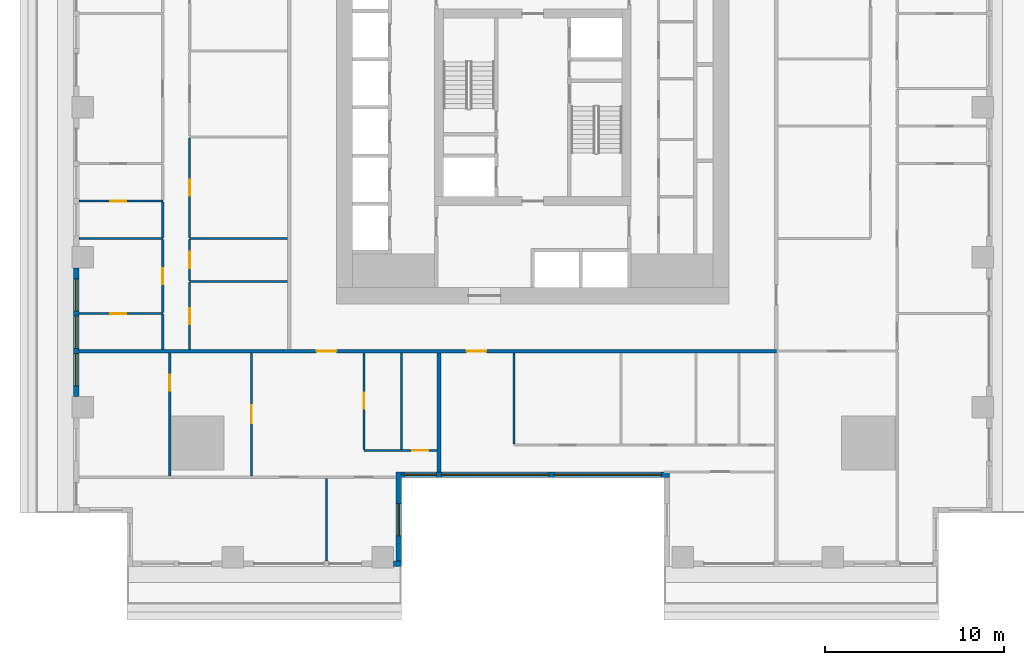
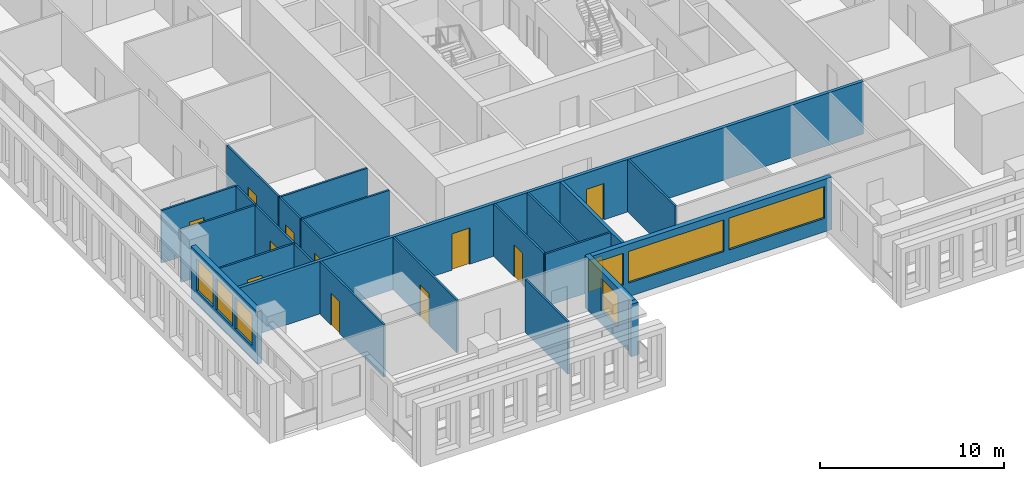
# One storey, part 2 of 15: 24 walls, 12 doors, 7 windows, 19 openings.
"""IFC4 building model written with IfcOpenShell, lengths in metres."""

import ifcopenshell
import ifcopenshell.guid

model = None  # the IFC model being written
_history = None  # IfcOwnerHistory: only IFC2X3 demands one
_inside = {}  # id of a spatial element -> (the spatial element, [elements in it])
_under = {}  # id of a project, library or spatial element -> (it, [spatial elements below it])
_declared = {}  # id of a project -> (the project, [libraries it declares])
_typed = {}  # id of a type object -> (the type object, [elements of that type])
_made_of = {}  # id of a material, layer set ... -> (it, [elements and type objects made of it])


def new_model(schema):
    """Start an empty IFC model of exactly this schema.

    Asked for "IFC4X3", IfcOpenShell would pick the latest addendum, in which some entities
    have other attributes; the version numbers below select the first issue.
    IFC2X3 requires an IfcOwnerHistory on every rooted entity: one is made here for all.
    """
    global model, _history
    if schema == "IFC4X3":
        model = ifcopenshell.file(schema_version=(4, 3, 0, 0))
    else:
        model = ifcopenshell.file(schema=schema)
    _inside.clear()
    _under.clear()
    _declared.clear()
    _typed.clear()
    _made_of.clear()
    _history = None
    if model.schema == "IFC2X3":
        org = make("IfcOrganization", Name="unknown")
        user = make(
            "IfcPersonAndOrganization",
            ThePerson=make("IfcPerson", FamilyName="unknown"),
            TheOrganization=org,
        )
        app = make(
            "IfcApplication",
            ApplicationDeveloper=org,
            Version="unknown",
            ApplicationFullName="unknown",
            ApplicationIdentifier="unknown",
        )
        _history = make(
            "IfcOwnerHistory",
            OwningUser=user,
            OwningApplication=app,
            ChangeAction="ADDED",
            CreationDate=0,
        )
    return model


def make(cls, **values):
    """One entity of the class cls with the attributes given. An attribute that is None is left unset."""
    return model.create_entity(
        cls, **{name: value for name, value in values.items() if value is not None}
    )


def rooted(cls, **values):
    """An entity with a GlobalId (a new one), such as an element, a storey or a relation."""
    return make(cls, GlobalId=ifcopenshell.guid.new(), OwnerHistory=_history, **values)


def si_unit(unit_type, name, prefix=None):
    """IfcSIUnit, for example si_unit("LENGTHUNIT", "METRE", prefix="MILLI")."""
    return make("IfcSIUnit", UnitType=unit_type, Prefix=prefix, Name=name)


def assignment(units):
    """IfcUnitAssignment: the units of a project."""
    return None if units is None else make("IfcUnitAssignment", Units=units)


def point(xyz):
    """IfcCartesianPoint."""
    return None if xyz is None else make("IfcCartesianPoint", Coordinates=xyz)


def direction(xyz):
    """IfcDirection."""
    return None if xyz is None else make("IfcDirection", DirectionRatios=xyz)


def frame(location, z_axis=None, x_axis=None):
    """IfcAxis2Placement3D, a coordinate frame: its origin and axes. An axis left out is left unset."""
    return make(
        "IfcAxis2Placement3D",
        Location=point(location),
        Axis=direction(z_axis),
        RefDirection=direction(x_axis),
    )


def frame_2d(location, x_axis=None):
    """IfcAxis2Placement2D, a coordinate frame in the plane: its origin and x axis."""
    return make(
        "IfcAxis2Placement2D", Location=point(location), RefDirection=direction(x_axis)
    )


def origin():
    """The frame at (0, 0, 0) with its axes left unset."""
    return frame((0.0, 0.0, 0.0))


def place(relative_to, where):
    """IfcLocalPlacement: puts the frame where relative to a parent placement (None: the world)."""
    return make(
        "IfcLocalPlacement", PlacementRelTo=relative_to, RelativePlacement=where
    )


def context(
    kind, dimensions, precision=None, world=None, true_north=None, identifier=None
):
    """IfcGeometricRepresentationContext, for example the 3D "Model" context."""
    return make(
        "IfcGeometricRepresentationContext",
        ContextIdentifier=identifier,
        ContextType=kind,
        CoordinateSpaceDimension=dimensions,
        Precision=precision,
        WorldCoordinateSystem=world,
        TrueNorth=true_north,
    )


def subcontext(parent, identifier, kind, view, scale=None):
    """IfcGeometricRepresentationSubContext, for example "Body" below "Model"."""
    return make(
        "IfcGeometricRepresentationSubContext",
        ContextIdentifier=identifier,
        ContextType=kind,
        ParentContext=parent,
        TargetScale=scale,
        TargetView=view,
    )


def project(units=None, contexts=None):
    """IfcProject with its units and contexts."""
    return rooted(
        "IfcProject",
        Name="project",
        RepresentationContexts=contexts,
        UnitsInContext=assignment(units),
    )


def spatial(cls, under=None, at=None, **own):
    """A site, building, storey or space (cls), placed at a placement, below another one or the project."""
    s = rooted(cls, ObjectPlacement=at, **own)
    if under is not None:
        _under.setdefault(under.id(), (under, []))[1].append(s)
    return s


def profile(cls, at=None, kind="AREA", **sizes):
    """A parametric profile (cls). Its sizes go by their IFC names, for example OverallWidth=200.0."""
    return make(cls, ProfileType=kind, Position=at, **sizes)


def rectangle(**sizes):
    """IfcRectangleProfileDef."""
    return profile("IfcRectangleProfileDef", **sizes)


def extrude(swept, where, along, depth):
    """IfcExtrudedAreaSolid: the profile swept, set in the frame where, extruded along a direction by depth."""
    return make(
        "IfcExtrudedAreaSolid",
        SweptArea=swept,
        Position=where,
        ExtrudedDirection=direction(along),
        Depth=depth,
    )


def shape(context_of_items, identifier, shape_type, items):
    """IfcShapeRepresentation: the items that make up one representation, for example the "Body"."""
    return make(
        "IfcShapeRepresentation",
        ContextOfItems=context_of_items,
        RepresentationIdentifier=identifier,
        RepresentationType=shape_type,
        Items=items,
    )


def material(Name=None, Category=None):
    """IfcMaterial."""
    return make("IfcMaterial", Name=Name, Category=Category)


def layer(
    of_material, thickness, ventilated=None, Name=None, Category=None, Priority=None
):
    """IfcMaterialLayer: one layer of a wall or slab, of a material (None: an air gap)."""
    return make(
        "IfcMaterialLayer",
        Material=of_material,
        LayerThickness=thickness,
        IsVentilated=ventilated,
        Name=Name,
        Category=Category,
        Priority=Priority,
    )


def layer_set(layers, Name=None):
    """IfcMaterialLayerSet."""
    return make("IfcMaterialLayerSet", MaterialLayers=layers, LayerSetName=Name)


def made_of(thing, what):
    """Note that an element or type object is made of a material, layer set ...; save() writes the relation."""
    if what is not None:
        _made_of.setdefault(what.id(), (what, []))[1].append(thing)
    return thing


def type_object(cls, material=None, **own):
    """A type object (cls), such as IfcWallType, which elements share."""
    return made_of(rooted(cls, **own), material)


def element(
    cls,
    number,
    at=None,
    inside=None,
    cuts=None,
    type_object=None,
    material=None,
    context=None,
    identifier="Body",
    shape_type=None,
    held_by="IfcProductDefinitionShape",
    body=None,
    shapes=None,
    **own,
):
    """One element of the class cls, such as IfcWall. Its Tag is "e" and its number.

    at: its placement. inside: the storey or other place that contains it. cuts: it is an
    opening in that element (IfcRelVoidsElement). A single representation is given by context,
    identifier, shape_type and body (its items); several are given by shapes. held_by: the class
    of the entity that holds the representations. save() writes the other relations.
    """
    e = rooted(cls, Tag="e%d" % number, ObjectPlacement=at, **own)
    if body is not None:
        shapes = [shape(context, identifier, shape_type, body)]
    if shapes is not None:
        e.Representation = make(held_by, Representations=shapes)
    if inside is not None:
        _inside.setdefault(inside.id(), (inside, []))[1].append(e)
    if cuts is not None:
        rooted(
            "IfcRelVoidsElement", RelatingBuildingElement=cuts, RelatedOpeningElement=e
        )
    if type_object is not None:
        _typed.setdefault(type_object.id(), (type_object, []))[1].append(e)
    return made_of(e, material)


def fill(opening, filler):
    """IfcRelFillsElement: the door or window that sits in an opening."""
    return rooted(
        "IfcRelFillsElement",
        RelatingOpeningElement=opening,
        RelatedBuildingElement=filler,
    )


def aggregate(whole, parts):
    """IfcRelAggregates: a whole, such as a stair, and the parts it consists of."""
    return rooted("IfcRelAggregates", RelatingObject=whole, RelatedObjects=parts)


def save(model, path):
    """Write the relations noted so far, then the file.

    IfcRelAggregates (storeys below a building ...), IfcRelContainedInSpatialStructure (elements
    in a storey), IfcRelDefinesByType, IfcRelAssociatesMaterial and IfcRelDeclares: one each for
    every whole, place, type object, material and project.
    """
    for whole, parts in _under.values():
        aggregate(whole, parts)
    for where, things in _inside.values():
        rooted(
            "IfcRelContainedInSpatialStructure",
            RelatedElements=things,
            RelatingStructure=where,
        )
    for kind, things in _typed.values():
        rooted("IfcRelDefinesByType", RelatedObjects=things, RelatingType=kind)
    for what, things in _made_of.values():
        rooted("IfcRelAssociatesMaterial", RelatedObjects=things, RelatingMaterial=what)
    for by, libraries in _declared.values():
        rooted("IfcRelDeclares", RelatingContext=by, RelatedDefinitions=libraries)
    model.write(path)


model = new_model("IFC4")

# Units and contexts
model_context = context("Model", 3, precision=1e-05, world=origin(), true_north=direction((0.0, 1.0)))
body_context = subcontext(model_context, "Body", "Model", "MODEL_VIEW")
ifc_project = project(units=[si_unit("LENGTHUNIT", "METRE"), si_unit("AREAUNIT", "SQUARE_METRE"), si_unit("VOLUMEUNIT", "CUBIC_METRE"), si_unit("PLANEANGLEUNIT", "RADIAN"), si_unit("MASSUNIT", "GRAM", prefix="KILO")], contexts=[model_context])

# Site, building, storey
site_placement = place(None, origin())
site = spatial("IfcSite", under=ifc_project, at=site_placement, CompositionType="ELEMENT")
building_placement = place(site_placement, origin())
building = spatial("IfcBuilding", under=site, at=building_placement, Name="Khepri Terraces", CompositionType="ELEMENT")
storey_placement = place(building_placement, frame((0.0, 0.0, 46.5)))
storey = spatial("IfcBuildingStorey", under=building, at=storey_placement, Name="L10", CompositionType="ELEMENT", Elevation=46.5)

# Wall
ifc_material_1 = material(Name="Fire-rated gypsum plasterboard partition, mineral wool")
ifc_layer_1 = layer(ifc_material_1, 0.199951171875, Name="Fire-rated gypsum plasterboard partition, mineral wool")
ifc_layer_set_1 = layer_set([ifc_layer_1], Name="Fire-rated gypsum plasterboard partition, mineral wool")
wall_type_1 = type_object("IfcWallType", Name="WL-CORR-200", PredefinedType="PARTITIONING", material=ifc_layer_set_1)
wall_1_placement = place(storey_placement, frame((-5.25, -20.419921875, 0.0), z_axis=(0.0, 0.0, 1.0), x_axis=(0.0, 1.0, 0.0)))
element("IfcWall", 1, at=wall_1_placement, inside=storey, type_object=wall_type_1, Name="Partition P-005 L10", PredefinedType="PARTITIONING", context=body_context, shape_type="SweptSolid", body=[
    extrude(rectangle(XDim=6.669921875, YDim=0.199951171875, at=frame_2d((3.3349609375, 0.0))), origin(), (0.0, 0.0, 1.0), 3.47998046875),
])

# Wall, openings, doors
wall_2_placement = place(storey_placement, frame((-25.419921875, -13.64990234375, 0.0), z_axis=(0.0, 0.0, 1.0), x_axis=(1.0, 0.0, 0.0)))
wall_2 = element("IfcWall", 2, at=wall_2_placement, inside=storey, type_object=wall_type_1, Name="Partition P-018 L10", PredefinedType="PARTITIONING", context=body_context, shape_type="SweptSolid", body=[
    extrude(rectangle(XDim=39.06982421875, YDim=0.199951171875, at=frame_2d((19.534912109375, 0.0))), origin(), (0.0, 0.0, 1.0), 3.47998046875),
])
opening_1_placement = place(wall_2_placement, frame((13.320068359375, 0.0, 0.0)))
opening_1 = element("IfcOpeningElement", 3, at=opening_1_placement, cuts=wall_2, Name="Opening D1", PredefinedType="OPENING", context=body_context, shape_type="SweptSolid", body=[
    extrude(rectangle(XDim=1.10009765625, YDim=2.39990234375, at=frame_2d((0.550048828125, 1.199951171875))), frame((0.0, 0.10986328125, 0.0), z_axis=(0.0, -1.0, 0.0), x_axis=(1.0, 0.0, 0.0)), (0.0, 0.0, 1.0), 0.219970703125),
])
opening_2_placement = place(wall_2_placement, frame((21.719970703125, 0.0, 0.0)))
opening_2 = element("IfcOpeningElement", 4, at=opening_2_placement, cuts=wall_2, Name="Opening D1", PredefinedType="OPENING", context=body_context, shape_type="SweptSolid", body=[
    extrude(rectangle(XDim=1.10009765625, YDim=2.39990234375, at=frame_2d((0.550048828125, 1.199951171875))), frame((0.0, 0.10986328125, 0.0), z_axis=(0.0, -1.0, 0.0), x_axis=(1.0, 0.0, 0.0)), (0.0, 0.0, 1.0), 0.219970703125),
])
ifc_material_2 = material(Name="Solid-core timber door leaf, flat entrance door", Category="wood")
door_type_1 = type_object("IfcDoorType", Name="DR-ENT-1100", OperationType="NOTDEFINED", PredefinedType="DOOR", material=ifc_material_2)
door_1_placement = place(opening_1_placement, frame((1.10009765625, 0.0, 0.0), z_axis=(0.0, 0.0, 1.0), x_axis=(-1.0, 0.0, 0.0)))
door_1 = element("IfcDoor", 5, at=door_1_placement, inside=storey, type_object=door_type_1, Name="Flat A1 entrance door", OperationType="SINGLE_SWING_RIGHT", OverallHeight=2.39990234375, OverallWidth=1.10009765625, PredefinedType="DOOR", context=body_context, shape_type="SweptSolid", body=[
    extrude(rectangle(XDim=1.10009765625, YDim=2.39990234375, at=frame_2d((0.550048828125, 1.199951171875))), frame((0.0, 0.02490234375, 0.0), z_axis=(0.0, -1.0, 0.0), x_axis=(1.0, 0.0, 0.0)), (0.0, 0.0, 1.0), 0.050048828125),
])
fill(opening_1, door_1)
door_2_placement = place(opening_2_placement, frame((1.10009765625, 0.0, 0.0), z_axis=(0.0, 0.0, 1.0), x_axis=(-1.0, 0.0, 0.0)))
door_2 = element("IfcDoor", 6, at=door_2_placement, inside=storey, type_object=door_type_1, Name="Flat A2 entrance door", OperationType="SINGLE_SWING_LEFT", OverallHeight=2.39990234375, OverallWidth=1.10009765625, PredefinedType="DOOR", context=body_context, shape_type="SweptSolid", body=[
    extrude(rectangle(XDim=1.10009765625, YDim=2.39990234375, at=frame_2d((0.550048828125, 1.199951171875))), frame((0.0, 0.02490234375, 0.0), z_axis=(0.0, -1.0, 0.0), x_axis=(1.0, 0.0, 0.0)), (0.0, 0.0, 1.0), 0.050048828125),
])
fill(opening_2, door_2)

# Wall, openings, windows
ifc_material_3 = material(Name="Precast concrete C50/60 warm stone", Category="masonry")
ifc_layer_2 = layer(ifc_material_3, 0.300048828125, Name="Precast concrete C50/60 warm stone", Category="masonry")
ifc_layer_set_2 = layer_set([ifc_layer_2], Name="Precast concrete C50/60 warm stone")
wall_type_2 = type_object("IfcWallType", Name="WL-EXT-PRECAST-300", PredefinedType="STANDARD", material=ifc_layer_set_2)
wall_3_placement = place(storey_placement, frame((-25.570068359375, -9.0, 0.0), z_axis=(0.0, 0.0, 1.0), x_axis=(0.0, -1.0, 0.0)))
wall_3 = element("IfcWall", 7, at=wall_3_placement, inside=storey, type_object=wall_type_2, Name="External wall L10 W", PredefinedType="STANDARD", context=body_context, shape_type="SweptSolid", body=[
    extrude(rectangle(XDim=7.199951171875, YDim=0.300048828125, at=frame_2d((3.60009765625, 0.0))), origin(), (0.0, 0.0, 1.0), 3.47998046875),
])
opening_3_placement = place(wall_3_placement, frame((0.60009765625, 0.0, 0.89990234375)))
opening_3 = element("IfcOpeningElement", 8, at=opening_3_placement, cuts=wall_3, Name="Opening W1", PredefinedType="OPENING", context=body_context, shape_type="SweptSolid", body=[
    extrude(rectangle(XDim=1.800048828125, YDim=2.10009765625, at=frame_2d((0.89990234375, 1.050048828125))), frame((0.0, 0.16015625, 0.0), z_axis=(0.0, -1.0, 0.0), x_axis=(1.0, 0.0, 0.0)), (0.0, 0.0, 1.0), 0.320068359375),
])
opening_4_placement = place(wall_3_placement, frame((2.699951171875, 0.0, 0.89990234375)))
opening_4 = element("IfcOpeningElement", 9, at=opening_4_placement, cuts=wall_3, Name="Opening W1", PredefinedType="OPENING", context=body_context, shape_type="SweptSolid", body=[
    extrude(rectangle(XDim=1.800048828125, YDim=2.10009765625, at=frame_2d((0.89990234375, 1.050048828125))), frame((0.0, 0.16015625, 0.0), z_axis=(0.0, -1.0, 0.0), x_axis=(1.0, 0.0, 0.0)), (0.0, 0.0, 1.0), 0.320068359375),
])
opening_5_placement = place(wall_3_placement, frame((4.800048828125, 0.0, 0.89990234375)))
opening_5 = element("IfcOpeningElement", 10, at=opening_5_placement, cuts=wall_3, Name="Opening W1", PredefinedType="OPENING", context=body_context, shape_type="SweptSolid", body=[
    extrude(rectangle(XDim=1.800048828125, YDim=2.10009765625, at=frame_2d((0.89990234375, 1.050048828125))), frame((0.0, 0.16015625, 0.0), z_axis=(0.0, -1.0, 0.0), x_axis=(1.0, 0.0, 0.0)), (0.0, 0.0, 1.0), 0.320068359375),
])
ifc_material_4 = material(Name="Clear glass", Category="glass")
window_type_1 = type_object("IfcWindowType", Name="WIN-RES-1800x2100", PartitioningType="SINGLE_PANEL", PredefinedType="WINDOW", material=ifc_material_4)
window_1_placement = place(opening_3_placement, origin())
window_1 = element("IfcWindow", 11, at=window_1_placement, inside=storey, type_object=window_type_1, Name="Window L10 W", OverallHeight=2.10009765625, OverallWidth=1.800048828125, PartitioningType="SINGLE_PANEL", PredefinedType="WINDOW", context=body_context, shape_type="SweptSolid", body=[
    extrude(rectangle(XDim=1.800048828125, YDim=2.10009765625, at=frame_2d((0.89990234375, 1.050048828125))), frame((0.0, 0.030029296875, 0.0), z_axis=(0.0, -1.0, 0.0), x_axis=(1.0, 0.0, 0.0)), (0.0, 0.0, 1.0), 0.06005859375),
])
fill(opening_3, window_1)
window_2_placement = place(opening_4_placement, origin())
window_2 = element("IfcWindow", 12, at=window_2_placement, inside=storey, type_object=window_type_1, Name="Window L10 W", OverallHeight=2.10009765625, OverallWidth=1.800048828125, PartitioningType="SINGLE_PANEL", PredefinedType="WINDOW", context=body_context, shape_type="SweptSolid", body=[
    extrude(rectangle(XDim=1.800048828125, YDim=2.10009765625, at=frame_2d((0.89990234375, 1.050048828125))), frame((0.0, 0.030029296875, 0.0), z_axis=(0.0, -1.0, 0.0), x_axis=(1.0, 0.0, 0.0)), (0.0, 0.0, 1.0), 0.06005859375),
])
fill(opening_4, window_2)
window_3_placement = place(opening_5_placement, origin())
window_3 = element("IfcWindow", 13, at=window_3_placement, inside=storey, type_object=window_type_1, Name="Window L10 W", OverallHeight=2.10009765625, OverallWidth=1.800048828125, PartitioningType="SINGLE_PANEL", PredefinedType="WINDOW", context=body_context, shape_type="SweptSolid", body=[
    extrude(rectangle(XDim=1.800048828125, YDim=2.10009765625, at=frame_2d((0.89990234375, 1.050048828125))), frame((0.0, 0.030029296875, 0.0), z_axis=(0.0, -1.0, 0.0), x_axis=(1.0, 0.0, 0.0)), (0.0, 0.0, 1.0), 0.06005859375),
])
fill(opening_5, window_3)

# Wall
wall_4_placement = place(storey_placement, frame((-7.800048828125, -25.570068359375, 0.0), z_axis=(0.0, 0.0, 1.0), x_axis=(1.0, 0.0, 0.0)))
element("IfcWall", 14, at=wall_4_placement, inside=storey, type_object=wall_type_2, Name="External wall L10 S", PredefinedType="STANDARD", context=body_context, shape_type="SweptSolid", body=[
    extrude(rectangle(XDim=0.449951171875, YDim=0.300048828125, at=frame_2d((0.22509765625, 0.0))), origin(), (0.0, 0.0, 1.0), 3.47998046875),
])

# Wall, opening, window
wall_5_placement = place(storey_placement, frame((-7.5, -25.419921875, 0.0), z_axis=(0.0, 0.0, 1.0), x_axis=(0.0, 1.0, 0.0)))
wall_5 = element("IfcWall", 15, at=wall_5_placement, inside=storey, type_object=wall_type_2, Name="External wall L10 E", PredefinedType="STANDARD", context=body_context, shape_type="SweptSolid", body=[
    extrude(rectangle(XDim=5.0, YDim=0.300048828125, at=frame_2d((2.5, 0.0))), origin(), (0.0, 0.0, 1.0), 3.47998046875),
])
opening_6_placement = place(wall_5_placement, frame((1.419921875, 0.0, 0.89990234375)))
opening_6 = element("IfcOpeningElement", 16, at=opening_6_placement, cuts=wall_5, Name="Opening W1", PredefinedType="OPENING", context=body_context, shape_type="SweptSolid", body=[
    extrude(rectangle(XDim=1.800048828125, YDim=2.10009765625, at=frame_2d((0.89990234375, 1.050048828125))), frame((0.0, 0.16015625, 0.0), z_axis=(0.0, -1.0, 0.0), x_axis=(1.0, 0.0, 0.0)), (0.0, 0.0, 1.0), 0.320068359375),
])
window_4_placement = place(opening_6_placement, origin())
window_4 = element("IfcWindow", 17, at=window_4_placement, inside=storey, type_object=window_type_1, Name="Window L10 E", OverallHeight=2.10009765625, OverallWidth=1.800048828125, PartitioningType="SINGLE_PANEL", PredefinedType="WINDOW", context=body_context, shape_type="SweptSolid", body=[
    extrude(rectangle(XDim=1.800048828125, YDim=2.10009765625, at=frame_2d((0.89990234375, 1.050048828125))), frame((0.0, 0.030029296875, 0.0), z_axis=(0.0, -1.0, 0.0), x_axis=(1.0, 0.0, 0.0)), (0.0, 0.0, 1.0), 0.06005859375),
])
fill(opening_6, window_4)

# Wall, openings, windows
wall_6_placement = place(storey_placement, frame((-7.35009765625, -20.570068359375, 0.0), z_axis=(0.0, 0.0, 1.0), x_axis=(1.0, 0.0, 0.0)))
wall_6 = element("IfcWall", 18, at=wall_6_placement, inside=storey, type_object=wall_type_2, Name="External wall L10 S", PredefinedType="STANDARD", context=body_context, shape_type="SweptSolid", body=[
    extrude(rectangle(XDim=15.0, YDim=0.300048828125, at=frame_2d((7.5, 0.0))), origin(), (0.0, 0.0, 1.0), 3.47998046875),
])
opening_7_placement = place(wall_6_placement, frame((0.14990234375, 0.0, 0.89990234375)))
opening_7 = element("IfcOpeningElement", 19, at=opening_7_placement, cuts=wall_6, Name="Opening W1", PredefinedType="OPENING", context=body_context, shape_type="SweptSolid", body=[
    extrude(rectangle(XDim=1.800048828125, YDim=2.10009765625, at=frame_2d((0.89990234375, 1.050048828125))), frame((0.0, 0.16015625, 0.0), z_axis=(0.0, -1.0, 0.0), x_axis=(1.0, 0.0, 0.0)), (0.0, 0.0, 1.0), 0.320068359375),
])
opening_8_placement = place(wall_6_placement, frame((2.25, 0.0, 0.89990234375)))
opening_8 = element("IfcOpeningElement", 20, at=opening_8_placement, cuts=wall_6, Name="Opening W3", PredefinedType="OPENING", context=body_context, shape_type="SweptSolid", body=[
    extrude(rectangle(XDim=6.0, YDim=2.10009765625, at=frame_2d((3.0, 1.050048828125))), frame((0.0, 0.16015625, 0.0), z_axis=(0.0, -1.0, 0.0), x_axis=(1.0, 0.0, 0.0)), (0.0, 0.0, 1.0), 0.320068359375),
])
opening_9_placement = place(wall_6_placement, frame((8.550048828125, 0.0, 0.89990234375)))
opening_9 = element("IfcOpeningElement", 21, at=opening_9_placement, cuts=wall_6, Name="Opening W3", PredefinedType="OPENING", context=body_context, shape_type="SweptSolid", body=[
    extrude(rectangle(XDim=6.0, YDim=2.10009765625, at=frame_2d((3.0, 1.050048828125))), frame((0.0, 0.16015625, 0.0), z_axis=(0.0, -1.0, 0.0), x_axis=(1.0, 0.0, 0.0)), (0.0, 0.0, 1.0), 0.320068359375),
])
window_5_placement = place(opening_7_placement, origin())
window_5 = element("IfcWindow", 22, at=window_5_placement, inside=storey, type_object=window_type_1, Name="Window L10 S", OverallHeight=2.10009765625, OverallWidth=1.800048828125, PartitioningType="SINGLE_PANEL", PredefinedType="WINDOW", context=body_context, shape_type="SweptSolid", body=[
    extrude(rectangle(XDim=1.800048828125, YDim=2.10009765625, at=frame_2d((0.89990234375, 1.050048828125))), frame((0.0, 0.030029296875, 0.0), z_axis=(0.0, -1.0, 0.0), x_axis=(1.0, 0.0, 0.0)), (0.0, 0.0, 1.0), 0.06005859375),
])
fill(opening_7, window_5)
window_type_2 = type_object("IfcWindowType", Name="WIN-RES-6000x2100", PartitioningType="SINGLE_PANEL", PredefinedType="WINDOW", material=ifc_material_4)
window_6_placement = place(opening_8_placement, origin())
window_6 = element("IfcWindow", 23, at=window_6_placement, inside=storey, type_object=window_type_2, Name="Window L10 S", OverallHeight=2.10009765625, OverallWidth=6.0, PartitioningType="SINGLE_PANEL", PredefinedType="WINDOW", context=body_context, shape_type="SweptSolid", body=[
    extrude(rectangle(XDim=6.0, YDim=2.10009765625, at=frame_2d((3.0, 1.050048828125))), frame((0.0, 0.030029296875, 0.0), z_axis=(0.0, -1.0, 0.0), x_axis=(1.0, 0.0, 0.0)), (0.0, 0.0, 1.0), 0.06005859375),
])
fill(opening_8, window_6)
window_7_placement = place(opening_9_placement, origin())
window_7 = element("IfcWindow", 24, at=window_7_placement, inside=storey, type_object=window_type_2, Name="Window L10 S", OverallHeight=2.10009765625, OverallWidth=6.0, PartitioningType="SINGLE_PANEL", PredefinedType="WINDOW", context=body_context, shape_type="SweptSolid", body=[
    extrude(rectangle(XDim=6.0, YDim=2.10009765625, at=frame_2d((3.0, 1.050048828125))), frame((0.0, 0.030029296875, 0.0), z_axis=(0.0, -1.0, 0.0), x_axis=(1.0, 0.0, 0.0)), (0.0, 0.0, 1.0), 0.06005859375),
])
fill(opening_9, window_7)

# Wall
ifc_material_5 = material(Name="Gypsum plasterboard partition")
ifc_layer_3 = layer(ifc_material_5, 0.1201171875, Name="Gypsum plasterboard partition")
ifc_layer_set_3 = layer_set([ifc_layer_3], Name="Gypsum plasterboard partition")
wall_type_3 = type_object("IfcWallType", Name="WL-PART-120", PredefinedType="PARTITIONING", material=ifc_layer_set_3)
wall_7_placement = place(storey_placement, frame((-11.550048828125, -25.419921875, 0.0), z_axis=(0.0, 0.0, 1.0), x_axis=(0.0, 1.0, 0.0)))
element("IfcWall", 25, at=wall_7_placement, inside=storey, type_object=wall_type_3, Name="Partition P-001 L10", PredefinedType="PARTITIONING", context=body_context, shape_type="SweptSolid", body=[
    extrude(rectangle(XDim=4.639892578125, YDim=0.1201171875, at=frame_2d((2.31982421875, 0.0))), origin(), (0.0, 0.0, 1.0), 3.47998046875),
])

# Wall, opening, door
wall_8_placement = place(storey_placement, frame((-20.333984375, -20.659912109375, 0.0), z_axis=(0.0, 0.0, 1.0), x_axis=(0.0, 1.0, 0.0)))
wall_8 = element("IfcWall", 26, at=wall_8_placement, inside=storey, type_object=wall_type_3, Name="Partition P-007 L10", PredefinedType="PARTITIONING", context=body_context, shape_type="SweptSolid", body=[
    extrude(rectangle(XDim=6.909912109375, YDim=0.1201171875, at=frame_2d((3.455078125, 0.0))), origin(), (0.0, 0.0, 1.0), 3.47998046875),
])
opening_10_placement = place(wall_8_placement, frame((4.79248046875, 0.0, 0.0)))
opening_10 = element("IfcOpeningElement", 27, at=opening_10_placement, cuts=wall_8, Name="Opening D3", PredefinedType="OPENING", context=body_context, shape_type="SweptSolid", body=[
    extrude(rectangle(XDim=0.89990234375, YDim=2.10009765625, at=frame_2d((0.449951171875, 1.050048828125))), frame((0.0, 0.070068359375, 0.0), z_axis=(0.0, -1.0, 0.0), x_axis=(1.0, 0.0, 0.0)), (0.0, 0.0, 1.0), 0.14013671875),
])
ifc_material_6 = material(Name="Timber door leaf", Category="wood")
door_type_2 = type_object("IfcDoorType", Name="DR-INT-900", OperationType="NOTDEFINED", PredefinedType="DOOR", material=ifc_material_6)
door_3_placement = place(opening_10_placement, origin())
door_3 = element("IfcDoor", 28, at=door_3_placement, inside=storey, type_object=door_type_2, Name="Door Staff Bedroom", OperationType="SINGLE_SWING_RIGHT", OverallHeight=2.10009765625, OverallWidth=0.89990234375, PredefinedType="DOOR", context=body_context, shape_type="SweptSolid", body=[
    extrude(rectangle(XDim=0.89990234375, YDim=2.10009765625, at=frame_2d((0.449951171875, 1.050048828125))), frame((0.0, 0.02490234375, 0.0), z_axis=(0.0, -1.0, 0.0), x_axis=(1.0, 0.0, 0.0)), (0.0, 0.0, 1.0), 0.050048828125),
])
fill(opening_10, door_3)

wall_9_placement = place(storey_placement, frame((-15.75, -20.659912109375, 0.0), z_axis=(0.0, 0.0, 1.0), x_axis=(0.0, 1.0, 0.0)))
wall_9 = element("IfcWall", 29, at=wall_9_placement, inside=storey, type_object=wall_type_3, Name="Partition P-008 L10", PredefinedType="PARTITIONING", context=body_context, shape_type="SweptSolid", body=[
    extrude(rectangle(XDim=6.909912109375, YDim=0.1201171875, at=frame_2d((3.455078125, 0.0))), origin(), (0.0, 0.0, 1.0), 3.47998046875),
])
opening_11_placement = place(wall_9_placement, frame((2.97509765625, 0.0, 0.0)))
opening_11 = element("IfcOpeningElement", 30, at=opening_11_placement, cuts=wall_9, Name="Opening D2", PredefinedType="OPENING", context=body_context, shape_type="SweptSolid", body=[
    extrude(rectangle(XDim=1.0, YDim=2.10009765625, at=frame_2d((0.5, 1.050048828125))), frame((0.0, 0.070068359375, 0.0), z_axis=(0.0, -1.0, 0.0), x_axis=(1.0, 0.0, 0.0)), (0.0, 0.0, 1.0), 0.14013671875),
])
ifc_material_7 = material(Name="Timber door leaf, living room door", Category="wood")
door_type_3 = type_object("IfcDoorType", Name="DR-INT-1000", OperationType="NOTDEFINED", PredefinedType="DOOR", material=ifc_material_7)
door_4_placement = place(opening_11_placement, origin())
door_4 = element("IfcDoor", 31, at=door_4_placement, inside=storey, type_object=door_type_3, Name="Door Family Room", OperationType="SINGLE_SWING_RIGHT", OverallHeight=2.10009765625, OverallWidth=1.0, PredefinedType="DOOR", context=body_context, shape_type="SweptSolid", body=[
    extrude(rectangle(XDim=1.0, YDim=2.10009765625, at=frame_2d((0.5, 1.050048828125))), frame((0.0, 0.02490234375, 0.0), z_axis=(0.0, -1.0, 0.0), x_axis=(1.0, 0.0, 0.0)), (0.0, 0.0, 1.0), 0.050048828125),
])
fill(opening_11, door_4)

wall_10_placement = place(storey_placement, frame((-9.449951171875, -19.219970703125, 0.0), z_axis=(0.0, 0.0, 1.0), x_axis=(1.0, 0.0, 0.0)))
wall_10 = element("IfcWall", 32, at=wall_10_placement, inside=storey, type_object=wall_type_3, Name="Partition P-010 L10", PredefinedType="PARTITIONING", context=body_context, shape_type="SweptSolid", body=[
    extrude(rectangle(XDim=4.099853515625, YDim=0.1201171875, at=frame_2d((2.0498046875, 0.0))), origin(), (0.0, 0.0, 1.0), 3.47998046875),
])
opening_12_placement = place(wall_10_placement, frame((2.699951171875, 0.0, 0.0)))
opening_12 = element("IfcOpeningElement", 33, at=opening_12_placement, cuts=wall_10, Name="Opening D3", PredefinedType="OPENING", context=body_context, shape_type="SweptSolid", body=[
    extrude(rectangle(XDim=0.89990234375, YDim=2.10009765625, at=frame_2d((0.449951171875, 1.050048828125))), frame((0.0, 0.070068359375, 0.0), z_axis=(0.0, -1.0, 0.0), x_axis=(1.0, 0.0, 0.0)), (0.0, 0.0, 1.0), 0.14013671875),
])
door_5_placement = place(opening_12_placement, origin())
door_5 = element("IfcDoor", 34, at=door_5_placement, inside=storey, type_object=door_type_2, Name="Door Kitchen", OperationType="SINGLE_SWING_RIGHT", OverallHeight=2.10009765625, OverallWidth=0.89990234375, PredefinedType="DOOR", context=body_context, shape_type="SweptSolid", body=[
    extrude(rectangle(XDim=0.89990234375, YDim=2.10009765625, at=frame_2d((0.449951171875, 1.050048828125))), frame((0.0, 0.02490234375, 0.0), z_axis=(0.0, -1.0, 0.0), x_axis=(1.0, 0.0, 0.0)), (0.0, 0.0, 1.0), 0.050048828125),
])
fill(opening_12, door_5)

wall_11_placement = place(storey_placement, frame((-9.449951171875, -19.159912109375, 0.0), z_axis=(0.0, 0.0, 1.0), x_axis=(0.0, 1.0, 0.0)))
wall_11 = element("IfcWall", 35, at=wall_11_placement, inside=storey, type_object=wall_type_3, Name="Partition P-011 L10", PredefinedType="PARTITIONING", context=body_context, shape_type="SweptSolid", body=[
    extrude(rectangle(XDim=5.409912109375, YDim=0.1201171875, at=frame_2d((2.705078125, 0.0))), origin(), (0.0, 0.0, 1.0), 3.47998046875),
])
opening_13_placement = place(wall_11_placement, frame((2.27490234375, 0.0, 0.0)))
opening_13 = element("IfcOpeningElement", 36, at=opening_13_placement, cuts=wall_11, Name="Opening D4", PredefinedType="OPENING", context=body_context, shape_type="SweptSolid", body=[
    extrude(rectangle(XDim=0.89990234375, YDim=2.10009765625, at=frame_2d((0.449951171875, 1.050048828125))), frame((0.0, 0.070068359375, 0.0), z_axis=(0.0, -1.0, 0.0), x_axis=(1.0, 0.0, 0.0)), (0.0, 0.0, 1.0), 0.14013671875),
])
ifc_material_8 = material(Name="Timber door leaf, moisture resistant", Category="wood")
door_type_4 = type_object("IfcDoorType", Name="DR-WET-900", OperationType="NOTDEFINED", PredefinedType="DOOR", material=ifc_material_8)
door_6_placement = place(opening_13_placement, frame((0.89990234375, 0.0, 0.0), z_axis=(0.0, 0.0, 1.0), x_axis=(-1.0, 0.0, 0.0)))
door_6 = element("IfcDoor", 37, at=door_6_placement, inside=storey, type_object=door_type_4, Name="Door Guest Bathroom", OperationType="SINGLE_SWING_LEFT", OverallHeight=2.10009765625, OverallWidth=0.89990234375, PredefinedType="DOOR", context=body_context, shape_type="SweptSolid", body=[
    extrude(rectangle(XDim=0.89990234375, YDim=2.10009765625, at=frame_2d((0.449951171875, 1.050048828125))), frame((0.0, 0.02490234375, 0.0), z_axis=(0.0, -1.0, 0.0), x_axis=(1.0, 0.0, 0.0)), (0.0, 0.0, 1.0), 0.050048828125),
])
fill(opening_13, door_6)

# Walls
wall_12_placement = place(storey_placement, frame((-7.35009765625, -19.159912109375, 0.0), z_axis=(0.0, 0.0, 1.0), x_axis=(0.0, 1.0, 0.0)))
element("IfcWall", 38, at=wall_12_placement, inside=storey, type_object=wall_type_3, Name="Partition P-012 L10", PredefinedType="PARTITIONING", context=body_context, shape_type="SweptSolid", body=[
    extrude(rectangle(XDim=5.409912109375, YDim=0.1201171875, at=frame_2d((2.705078125, 0.0))), origin(), (0.0, 0.0, 1.0), 3.47998046875),
])
wall_13_placement = place(storey_placement, frame((-1.050048828125, -18.860107421875, 0.0), z_axis=(0.0, 0.0, 1.0), x_axis=(0.0, 1.0, 0.0)))
element("IfcWall", 39, at=wall_13_placement, inside=storey, type_object=wall_type_3, Name="Partition P-014 L10", PredefinedType="PARTITIONING", context=body_context, shape_type="SweptSolid", body=[
    extrude(rectangle(XDim=5.110107421875, YDim=0.1201171875, at=frame_2d((2.55517578125, 0.0))), origin(), (0.0, 0.0, 1.0), 3.47998046875),
])
wall_14_placement = place(storey_placement, frame((-20.719970703125, -13.550048828125, 0.0), z_axis=(0.0, 0.0, 1.0), x_axis=(0.0, 1.0, 0.0)))
element("IfcWall", 40, at=wall_14_placement, inside=storey, type_object=wall_type_3, Name="Partition P-021 L10", PredefinedType="PARTITIONING", context=body_context, shape_type="SweptSolid", body=[
    extrude(rectangle(XDim=1.93994140625, YDim=0.1201171875, at=frame_2d((0.969970703125, 0.0))), origin(), (0.0, 0.0, 1.0), 3.47998046875),
])

# Wall, opening, door
wall_15_placement = place(storey_placement, frame((-19.219970703125, -13.550048828125, 0.0), z_axis=(0.0, 0.0, 1.0), x_axis=(0.0, 1.0, 0.0)))
wall_15 = element("IfcWall", 41, at=wall_15_placement, inside=storey, type_object=wall_type_3, Name="Partition P-022 L10", PredefinedType="PARTITIONING", context=body_context, shape_type="SweptSolid", body=[
    extrude(rectangle(XDim=3.739990234375, YDim=0.1201171875, at=frame_2d((1.8701171875, 0.0))), origin(), (0.0, 0.0, 1.0), 3.47998046875),
])
opening_14_placement = place(wall_15_placement, frame((1.39990234375, 0.0, 0.0)))
opening_14 = element("IfcOpeningElement", 42, at=opening_14_placement, cuts=wall_15, Name="Opening D4", PredefinedType="OPENING", context=body_context, shape_type="SweptSolid", body=[
    extrude(rectangle(XDim=0.89990234375, YDim=2.10009765625, at=frame_2d((0.449951171875, 1.050048828125))), frame((0.0, 0.070068359375, 0.0), z_axis=(0.0, -1.0, 0.0), x_axis=(1.0, 0.0, 0.0)), (0.0, 0.0, 1.0), 0.14013671875),
])
door_7_placement = place(opening_14_placement, frame((0.89990234375, 0.0, 0.0), z_axis=(0.0, 0.0, 1.0), x_axis=(-1.0, 0.0, 0.0)))
door_7 = element("IfcDoor", 43, at=door_7_placement, inside=storey, type_object=door_type_4, Name="Door Guest Bathroom", OperationType="SINGLE_SWING_RIGHT", OverallHeight=2.10009765625, OverallWidth=0.89990234375, PredefinedType="DOOR", context=body_context, shape_type="SweptSolid", body=[
    extrude(rectangle(XDim=0.89990234375, YDim=2.10009765625, at=frame_2d((0.449951171875, 1.050048828125))), frame((0.0, 0.02490234375, 0.0), z_axis=(0.0, -1.0, 0.0), x_axis=(1.0, 0.0, 0.0)), (0.0, 0.0, 1.0), 0.050048828125),
])
fill(opening_14, door_7)

wall_16_placement = place(storey_placement, frame((-25.419921875, -11.550048828125, 0.0), z_axis=(0.0, 0.0, 1.0), x_axis=(1.0, 0.0, 0.0)))
wall_16 = element("IfcWall", 44, at=wall_16_placement, inside=storey, type_object=wall_type_3, Name="Partition P-025 L10", PredefinedType="PARTITIONING", context=body_context, shape_type="SweptSolid", body=[
    extrude(rectangle(XDim=4.699951171875, YDim=0.1201171875, at=frame_2d((2.35009765625, 0.0))), origin(), (0.0, 0.0, 1.0), 3.47998046875),
])
opening_15_placement = place(wall_16_placement, frame((1.75, 0.0, 0.0)))
opening_15 = element("IfcOpeningElement", 45, at=opening_15_placement, cuts=wall_16, Name="Opening D4", PredefinedType="OPENING", context=body_context, shape_type="SweptSolid", body=[
    extrude(rectangle(XDim=0.89990234375, YDim=2.10009765625, at=frame_2d((0.449951171875, 1.050048828125))), frame((0.0, 0.070068359375, 0.0), z_axis=(0.0, -1.0, 0.0), x_axis=(1.0, 0.0, 0.0)), (0.0, 0.0, 1.0), 0.14013671875),
])
door_8_placement = place(opening_15_placement, frame((0.89990234375, 0.0, 0.0), z_axis=(0.0, 0.0, 1.0), x_axis=(-1.0, 0.0, 0.0)))
door_8 = element("IfcDoor", 46, at=door_8_placement, inside=storey, type_object=door_type_4, Name="Door Bathroom", OperationType="SINGLE_SWING_RIGHT", OverallHeight=2.10009765625, OverallWidth=0.89990234375, PredefinedType="DOOR", context=body_context, shape_type="SweptSolid", body=[
    extrude(rectangle(XDim=0.89990234375, YDim=2.10009765625, at=frame_2d((0.449951171875, 1.050048828125))), frame((0.0, 0.02490234375, 0.0), z_axis=(0.0, -1.0, 0.0), x_axis=(1.0, 0.0, 0.0)), (0.0, 0.0, 1.0), 0.050048828125),
])
fill(opening_15, door_8)

wall_17_placement = place(storey_placement, frame((-20.719970703125, -11.489990234375, 0.0), z_axis=(0.0, 0.0, 1.0), x_axis=(0.0, 1.0, 0.0)))
wall_17 = element("IfcWall", 47, at=wall_17_placement, inside=storey, type_object=wall_type_3, Name="Partition P-027 L10", PredefinedType="PARTITIONING", context=body_context, shape_type="SweptSolid", body=[
    extrude(rectangle(XDim=4.080078125, YDim=0.1201171875, at=frame_2d((2.0400390625, 0.0))), origin(), (0.0, 0.0, 1.0), 3.47998046875),
])
opening_16_placement = place(wall_17_placement, frame((1.590087890625, 0.0, 0.0)))
opening_16 = element("IfcOpeningElement", 48, at=opening_16_placement, cuts=wall_17, Name="Opening D3", PredefinedType="OPENING", context=body_context, shape_type="SweptSolid", body=[
    extrude(rectangle(XDim=0.89990234375, YDim=2.10009765625, at=frame_2d((0.449951171875, 1.050048828125))), frame((0.0, 0.070068359375, 0.0), z_axis=(0.0, -1.0, 0.0), x_axis=(1.0, 0.0, 0.0)), (0.0, 0.0, 1.0), 0.14013671875),
])
door_9_placement = place(opening_16_placement, origin())
door_9 = element("IfcDoor", 49, at=door_9_placement, inside=storey, type_object=door_type_2, Name="Door Bedroom", OperationType="SINGLE_SWING_RIGHT", OverallHeight=2.10009765625, OverallWidth=0.89990234375, PredefinedType="DOOR", context=body_context, shape_type="SweptSolid", body=[
    extrude(rectangle(XDim=0.89990234375, YDim=2.10009765625, at=frame_2d((0.449951171875, 1.050048828125))), frame((0.0, 0.02490234375, 0.0), z_axis=(0.0, -1.0, 0.0), x_axis=(1.0, 0.0, 0.0)), (0.0, 0.0, 1.0), 0.050048828125),
])
fill(opening_16, door_9)

# Wall
wall_18_placement = place(storey_placement, frame((-19.219970703125, -9.75, 0.0), z_axis=(0.0, 0.0, 1.0), x_axis=(1.0, 0.0, 0.0)))
element("IfcWall", 50, at=wall_18_placement, inside=storey, type_object=wall_type_3, Name="Partition P-029 L10", PredefinedType="PARTITIONING", context=body_context, shape_type="SweptSolid", body=[
    extrude(rectangle(XDim=5.469970703125, YDim=0.1201171875, at=frame_2d((2.73486328125, 0.0))), origin(), (0.0, 0.0, 1.0), 3.47998046875),
])

# Wall, opening, door
wall_19_placement = place(storey_placement, frame((-19.219970703125, -9.68994140625, 0.0), z_axis=(0.0, 0.0, 1.0), x_axis=(0.0, 1.0, 0.0)))
wall_19 = element("IfcWall", 51, at=wall_19_placement, inside=storey, type_object=wall_type_3, Name="Partition P-030 L10", PredefinedType="PARTITIONING", context=body_context, shape_type="SweptSolid", body=[
    extrude(rectangle(XDim=2.280029296875, YDim=0.1201171875, at=frame_2d((1.14013671875, 0.0))), origin(), (0.0, 0.0, 1.0), 3.47998046875),
])
opening_17_placement = place(wall_19_placement, frame((0.68994140625, 0.0, 0.0)))
opening_17 = element("IfcOpeningElement", 52, at=opening_17_placement, cuts=wall_19, Name="Opening D4", PredefinedType="OPENING", context=body_context, shape_type="SweptSolid", body=[
    extrude(rectangle(XDim=0.89990234375, YDim=2.10009765625, at=frame_2d((0.449951171875, 1.050048828125))), frame((0.0, 0.070068359375, 0.0), z_axis=(0.0, -1.0, 0.0), x_axis=(1.0, 0.0, 0.0)), (0.0, 0.0, 1.0), 0.14013671875),
])
door_10_placement = place(opening_17_placement, frame((0.89990234375, 0.0, 0.0), z_axis=(0.0, 0.0, 1.0), x_axis=(-1.0, 0.0, 0.0)))
door_10 = element("IfcDoor", 53, at=door_10_placement, inside=storey, type_object=door_type_4, Name="Door Powder Room", OperationType="SINGLE_SWING_RIGHT", OverallHeight=2.10009765625, OverallWidth=0.89990234375, PredefinedType="DOOR", context=body_context, shape_type="SweptSolid", body=[
    extrude(rectangle(XDim=0.89990234375, YDim=2.10009765625, at=frame_2d((0.449951171875, 1.050048828125))), frame((0.0, 0.02490234375, 0.0), z_axis=(0.0, -1.0, 0.0), x_axis=(1.0, 0.0, 0.0)), (0.0, 0.0, 1.0), 0.050048828125),
])
fill(opening_17, door_10)

# Walls
wall_20_placement = place(storey_placement, frame((-25.419921875, -7.35009765625, 0.0), z_axis=(0.0, 0.0, 1.0), x_axis=(1.0, 0.0, 0.0)))
element("IfcWall", 54, at=wall_20_placement, inside=storey, type_object=wall_type_3, Name="Partition P-031 L10", PredefinedType="PARTITIONING", context=body_context, shape_type="SweptSolid", body=[
    extrude(rectangle(XDim=4.699951171875, YDim=0.1201171875, at=frame_2d((2.35009765625, 0.0))), origin(), (0.0, 0.0, 1.0), 3.47998046875),
])
wall_21_placement = place(storey_placement, frame((-19.219970703125, -7.35009765625, 0.0), z_axis=(0.0, 0.0, 1.0), x_axis=(1.0, 0.0, 0.0)))
element("IfcWall", 55, at=wall_21_placement, inside=storey, type_object=wall_type_3, Name="Partition P-032 L10", PredefinedType="PARTITIONING", context=body_context, shape_type="SweptSolid", body=[
    extrude(rectangle(XDim=5.469970703125, YDim=0.1201171875, at=frame_2d((2.73486328125, 0.0))), origin(), (0.0, 0.0, 1.0), 3.47998046875),
])
wall_22_placement = place(storey_placement, frame((-20.719970703125, -7.2900390625, 0.0), z_axis=(0.0, 0.0, 1.0), x_axis=(0.0, 1.0, 0.0)))
element("IfcWall", 56, at=wall_22_placement, inside=storey, type_object=wall_type_3, Name="Partition P-034 L10", PredefinedType="PARTITIONING", context=body_context, shape_type="SweptSolid", body=[
    extrude(rectangle(XDim=1.97998046875, YDim=0.1201171875, at=frame_2d((0.989990234375, 0.0))), origin(), (0.0, 0.0, 1.0), 3.47998046875),
])

# Wall, opening, door
wall_23_placement = place(storey_placement, frame((-19.219970703125, -7.2900390625, 0.0), z_axis=(0.0, 0.0, 1.0), x_axis=(0.0, 1.0, 0.0)))
wall_23 = element("IfcWall", 57, at=wall_23_placement, inside=storey, type_object=wall_type_3, Name="Partition P-035 L10", PredefinedType="PARTITIONING", context=body_context, shape_type="SweptSolid", body=[
    extrude(rectangle(XDim=5.580078125, YDim=0.1201171875, at=frame_2d((2.7900390625, 0.0))), origin(), (0.0, 0.0, 1.0), 3.47998046875),
])
opening_18_placement = place(wall_23_placement, frame((2.340087890625, 0.0, 0.0)))
opening_18 = element("IfcOpeningElement", 58, at=opening_18_placement, cuts=wall_23, Name="Opening D3", PredefinedType="OPENING", context=body_context, shape_type="SweptSolid", body=[
    extrude(rectangle(XDim=0.89990234375, YDim=2.10009765625, at=frame_2d((0.449951171875, 1.050048828125))), frame((0.0, 0.070068359375, 0.0), z_axis=(0.0, -1.0, 0.0), x_axis=(1.0, 0.0, 0.0)), (0.0, 0.0, 1.0), 0.14013671875),
])
door_11_placement = place(opening_18_placement, frame((0.89990234375, 0.0, 0.0), z_axis=(0.0, 0.0, 1.0), x_axis=(-1.0, 0.0, 0.0)))
door_11 = element("IfcDoor", 59, at=door_11_placement, inside=storey, type_object=door_type_2, Name="Door Staff Bedroom", OperationType="SINGLE_SWING_LEFT", OverallHeight=2.10009765625, OverallWidth=0.89990234375, PredefinedType="DOOR", context=body_context, shape_type="SweptSolid", body=[
    extrude(rectangle(XDim=0.89990234375, YDim=2.10009765625, at=frame_2d((0.449951171875, 1.050048828125))), frame((0.0, 0.02490234375, 0.0), z_axis=(0.0, -1.0, 0.0), x_axis=(1.0, 0.0, 0.0)), (0.0, 0.0, 1.0), 0.050048828125),
])
fill(opening_18, door_11)

wall_24_placement = place(storey_placement, frame((-25.419921875, -5.25, 0.0), z_axis=(0.0, 0.0, 1.0), x_axis=(1.0, 0.0, 0.0)))
wall_24 = element("IfcWall", 60, at=wall_24_placement, inside=storey, type_object=wall_type_3, Name="Partition P-037 L10", PredefinedType="PARTITIONING", context=body_context, shape_type="SweptSolid", body=[
    extrude(rectangle(XDim=4.699951171875, YDim=0.1201171875, at=frame_2d((2.35009765625, 0.0))), origin(), (0.0, 0.0, 1.0), 3.47998046875),
])
opening_19_placement = place(wall_24_placement, frame((1.75, 0.0, 0.0)))
opening_19 = element("IfcOpeningElement", 61, at=opening_19_placement, cuts=wall_24, Name="Opening D4", PredefinedType="OPENING", context=body_context, shape_type="SweptSolid", body=[
    extrude(rectangle(XDim=0.89990234375, YDim=2.10009765625, at=frame_2d((0.449951171875, 1.050048828125))), frame((0.0, 0.070068359375, 0.0), z_axis=(0.0, -1.0, 0.0), x_axis=(1.0, 0.0, 0.0)), (0.0, 0.0, 1.0), 0.14013671875),
])
door_12_placement = place(opening_19_placement, frame((0.89990234375, 0.0, 0.0), z_axis=(0.0, 0.0, 1.0), x_axis=(-1.0, 0.0, 0.0)))
door_12 = element("IfcDoor", 62, at=door_12_placement, inside=storey, type_object=door_type_4, Name="Door Bathroom", OperationType="SINGLE_SWING_RIGHT", OverallHeight=2.10009765625, OverallWidth=0.89990234375, PredefinedType="DOOR", context=body_context, shape_type="SweptSolid", body=[
    extrude(rectangle(XDim=0.89990234375, YDim=2.10009765625, at=frame_2d((0.449951171875, 1.050048828125))), frame((0.0, 0.02490234375, 0.0), z_axis=(0.0, -1.0, 0.0), x_axis=(1.0, 0.0, 0.0)), (0.0, 0.0, 1.0), 0.050048828125),
])
fill(opening_19, door_12)

save(model, "model.ifc")
